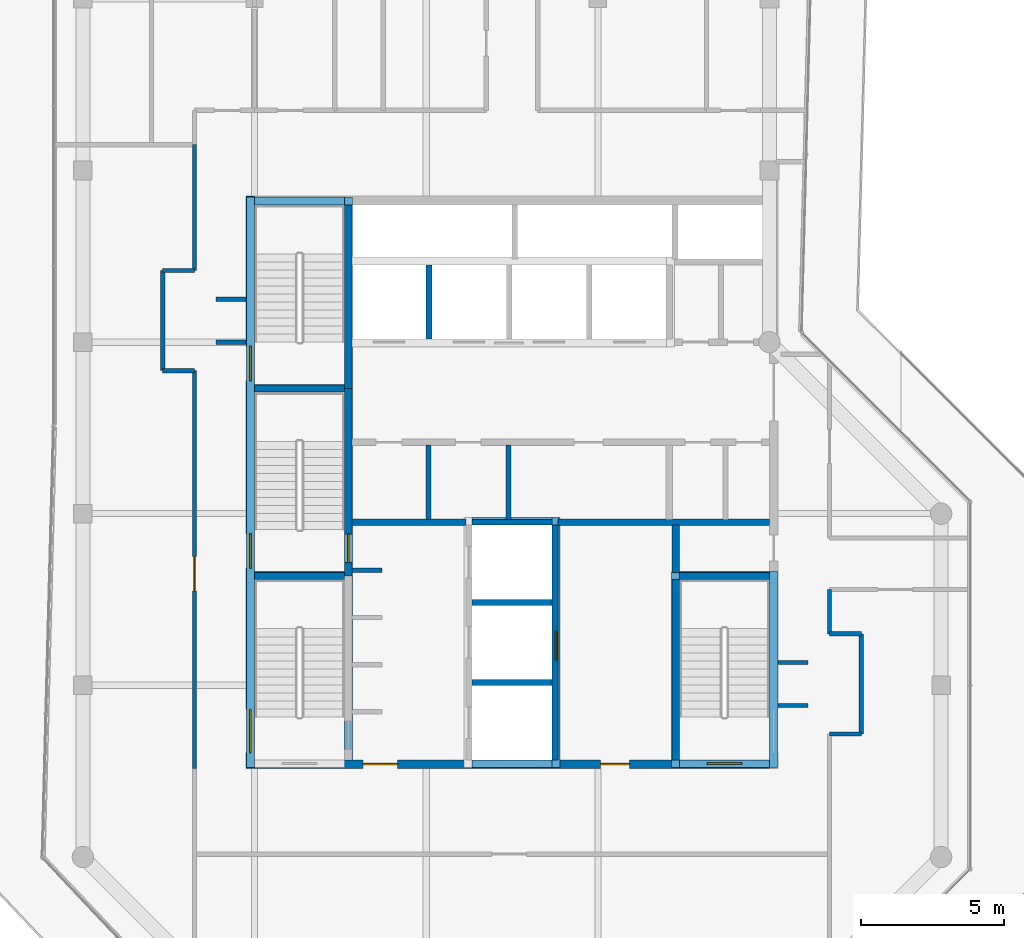
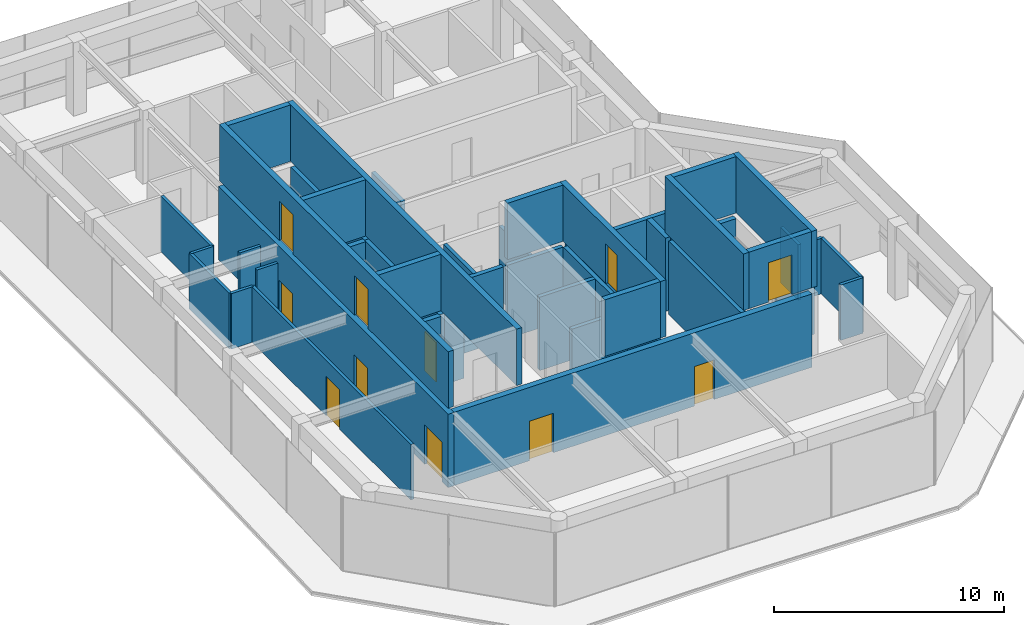
# One storey, part 11 of 15: 44 walls, 11 doors, 11 openings.
"""IFC4 building model written with IfcOpenShell, lengths in metres."""

from ifc_helpers import new_model, si_unit, direction, frame, frame_2d, origin, place, context, subcontext, project, spatial, rectangle, extrude, material, layer, layer_set, type_object, element, fill, save


model = new_model("IFC4")

# Units and contexts
model_context = context("Model", 3, precision=1e-05, world=origin(), true_north=direction((0.0, 1.0)))
body_context = subcontext(model_context, "Body", "Model", "MODEL_VIEW")
ifc_project = project(units=[si_unit("LENGTHUNIT", "METRE"), si_unit("AREAUNIT", "SQUARE_METRE"), si_unit("VOLUMEUNIT", "CUBIC_METRE"), si_unit("PLANEANGLEUNIT", "RADIAN"), si_unit("MASSUNIT", "GRAM", prefix="KILO")], contexts=[model_context])

# Site, building, storey
site_placement = place(None, origin())
site = spatial("IfcSite", under=ifc_project, at=site_placement, CompositionType="ELEMENT")
building_placement = place(site_placement, origin())
building = spatial("IfcBuilding", under=site, at=building_placement, Name="Welwitschia Terrace Campus", CompositionType="ELEMENT")
storey_placement = place(building_placement, frame((0.0, 0.0, 339.800048828125)))
storey = spatial("IfcBuildingStorey", under=building, at=storey_placement, Name="L76", CompositionType="ELEMENT", Elevation=339.800048828125)

# Walls
ifc_material_1 = material(Name="Concrete C32/40", Category="concrete")
ifc_layer_1 = layer(ifc_material_1, 0.175048828125)
ifc_layer_set_1 = layer_set([ifc_layer_1], Name="Concrete C32/40")
wall_type_1 = type_object("IfcWallType", Name="Core partition 175 Concrete C32/40", PredefinedType="PARTITIONING", material=ifc_layer_set_1)
for number, where, z_axis, x_axis, name in (
    (1, (12.074951171875, 13.800048828125, 0.0), (0.0, 0.0, 1.0), (0.0, 1.0, 0.0), "Core partition"),
    (2, (14.875, 13.800048828125, 0.0), (0.0, 0.0, 1.0), (0.0, 1.0, 0.0), "Core partition"),
):
    element("IfcWall", number, at=place(storey_placement, frame(where, z_axis=z_axis, x_axis=x_axis)), inside=storey, type_object=wall_type_1, Name=name, PredefinedType="PARTITIONING", context=body_context, shape_type="SweptSolid", body=[
        extrude(rectangle(XDim=2.599853515625, YDim=0.175048828125, at=frame_2d((1.2998046875, 0.0))), origin(), (0.0, 0.0, 1.0), 3.89990234375),
    ])
ifc_material_2 = material(Name="Concrete C32/40", Category="concrete")
ifc_layer_2 = layer(ifc_material_2, 0.22509765625)
ifc_layer_set_2 = layer_set([ifc_layer_2], Name="Concrete C32/40")
wall_type_2 = type_object("IfcWallType", Name="Core partition 225 Concrete C32/40", PredefinedType="PARTITIONING", material=ifc_layer_set_2)
wall_1_placement = place(storey_placement, frame((9.39990234375, 13.699951171875, 0.0), z_axis=(0.0, 0.0, 1.0), x_axis=(1.0, 0.0, 0.0)))
element("IfcWall", 3, at=wall_1_placement, inside=storey, type_object=wall_type_2, Name="Core partition", PredefinedType="PARTITIONING", context=body_context, shape_type="SweptSolid", body=[
    extrude(rectangle(XDim=4.0, YDim=0.22509765625, at=frame_2d((2.0, 0.0))), origin(), (0.0, 0.0, 1.0), 3.89990234375),
])
wall_2_placement = place(storey_placement, frame((16.60009765625, 13.699951171875, 0.0), z_axis=(0.0, 0.0, 1.0), x_axis=(1.0, 0.0, 0.0)))
element("IfcWall", 4, at=wall_2_placement, inside=storey, type_object=wall_type_2, Name="Core partition", PredefinedType="PARTITIONING", context=body_context, shape_type="SweptSolid", body=[
    extrude(rectangle(XDim=7.39990234375, YDim=0.22509765625, at=frame_2d((3.699951171875, 0.0))), origin(), (0.0, 0.0, 1.0), 3.89990234375),
])
ifc_material_3 = material(Name="Concrete C32/40", Category="concrete")
ifc_layer_3 = layer(ifc_material_3, 0.27490234375)
ifc_layer_set_3 = layer_set([ifc_layer_3], Name="Concrete C32/40")
wall_type_3 = type_object("IfcWallType", Name="Core partition 275 Concrete C32/40", PredefinedType="PARTITIONING", material=ifc_layer_set_3)
wall_3_placement = place(storey_placement, frame((20.72509765625, 11.949951171875, 0.0), z_axis=(0.0, 0.0, 1.0), x_axis=(0.0, 1.0, 0.0)))
element("IfcWall", 5, at=wall_3_placement, inside=storey, type_object=wall_type_3, Name="Core partition", PredefinedType="PARTITIONING", context=body_context, shape_type="SweptSolid", body=[
    extrude(rectangle(XDim=1.650146484375, YDim=0.27490234375, at=frame_2d((0.8251953125, 0.0))), origin(), (0.0, 0.0, 1.0), 3.89990234375),
])
ifc_material_4 = material(Name="Concrete C50/60", Category="concrete")
ifc_layer_4 = layer(ifc_material_4, 0.14990234375)
ifc_layer_set_4 = layer_set([ifc_layer_4], Name="Concrete C50/60")
wall_type_4 = type_object("IfcWallType", Name="Core wall 150 Concrete C50/60", PredefinedType="SHEAR", material=ifc_layer_set_4)
wall_4_placement = place(storey_placement, frame((9.39990234375, 12.02490234375, 0.0), z_axis=(0.0, 0.0, 1.0), x_axis=(1.0, 0.0, 0.0)))
element("IfcWall", 6, at=wall_4_placement, inside=storey, type_object=wall_type_4, Name="Core wall", PredefinedType="SHEAR", context=body_context, shape_type="SweptSolid", body=[
    extrude(rectangle(XDim=1.050048828125, YDim=0.14990234375, at=frame_2d((0.52490234375, 0.0))), origin(), (0.0, 0.0, 1.0), 3.89990234375),
])
ifc_material_5 = material(Name="Concrete C50/60", Category="concrete")
ifc_layer_5 = layer(ifc_material_5, 0.199951171875)
ifc_layer_set_5 = layer_set([ifc_layer_5], Name="Concrete C50/60")
wall_type_5 = type_object("IfcWallType", Name="Core wall 200 Concrete C50/60", PredefinedType="SHEAR", material=ifc_layer_set_5)
for number, where, z_axis, x_axis, name in (
    (7, (13.60009765625, 8.10009765625, 0.0), (0.0, 0.0, 1.0), (1.0, 0.0, 0.0), "Core wall"),
    (8, (13.60009765625, 10.89990234375, 0.0), (0.0, 0.0, 1.0), (1.0, 0.0, 0.0), "Core wall"),
    (9, (13.60009765625, 13.699951171875, 0.0), (0.0, 0.0, 1.0), (1.0, 0.0, 0.0), "Core wall"),
):
    element("IfcWall", number, at=place(storey_placement, frame(where, z_axis=z_axis, x_axis=x_axis)), inside=storey, type_object=wall_type_5, Name=name, PredefinedType="SHEAR", context=body_context, shape_type="SweptSolid", body=[
        extrude(rectangle(XDim=2.7998046875, YDim=0.199951171875, at=frame_2d((1.39990234375, 0.0))), origin(), (0.0, 0.0, 1.0), 3.89990234375),
    ])
wall_5_placement = place(storey_placement, frame((16.5, 5.39990234375, 0.0), z_axis=(0.0, 0.0, 1.0), x_axis=(0.0, 1.0, 0.0)))
element("IfcWall", 10, at=wall_5_placement, inside=storey, type_object=wall_type_5, Name="Core wall", PredefinedType="SHEAR", context=body_context, shape_type="SweptSolid", body=[
    extrude(rectangle(XDim=8.2001953125, YDim=0.199951171875, at=frame_2d((4.10009765625, 0.0))), origin(), (0.0, 0.0, 1.0), 3.89990234375),
])
ifc_material_6 = material(Name="Concrete C50/60", Category="concrete")
ifc_layer_6 = layer(ifc_material_6, 0.25)
ifc_layer_set_6 = layer_set([ifc_layer_6], Name="Concrete C50/60")
wall_type_6 = type_object("IfcWallType", Name="Core wall 250 Concrete C50/60", PredefinedType="SHEAR", material=ifc_layer_set_6)
for number, where, z_axis, x_axis, name in (
    (11, (6.0, 11.824951171875, 0.0), (0.0, 0.0, 1.0), (1.0, 0.0, 0.0), "Core wall"),
    (12, (20.85009765625, 11.824951171875, 0.0), (0.0, 0.0, 1.0), (1.0, 0.0, 0.0), "Core wall"),
    (13, (6.0, 18.375, 0.0), (0.0, 0.0, 1.0), (1.0, 0.0, 0.0), "Core wall"),
):
    element("IfcWall", number, at=place(storey_placement, frame(where, z_axis=z_axis, x_axis=x_axis)), inside=storey, type_object=wall_type_6, Name=name, PredefinedType="SHEAR", context=body_context, shape_type="SweptSolid", body=[
        extrude(rectangle(XDim=3.14990234375, YDim=0.25, at=frame_2d((1.574951171875, 0.0))), origin(), (0.0, 0.0, 1.0), 3.89990234375),
    ])

# Wall, opening, door
wall_6_placement = place(storey_placement, frame((9.27490234375, 18.375, 0.0), z_axis=(0.0, 0.0, 1.0), x_axis=(0.0, -1.0, 0.0)))
wall_6 = element("IfcWall", 14, at=wall_6_placement, inside=storey, type_object=wall_type_6, Name="Core wall", PredefinedType="SHEAR", context=body_context, shape_type="SweptSolid", body=[
    extrude(rectangle(XDim=6.550048828125, YDim=0.25, at=frame_2d((3.27490234375, 0.0))), origin(), (0.0, 0.0, 1.0), 3.89990234375),
])
opening_1_placement = place(wall_6_placement, frame((5.074951171875, 0.0, 0.0)))
opening_1 = element("IfcOpeningElement", 15, at=opening_1_placement, cuts=wall_6, Name="Opening DS10", PredefinedType="OPENING", context=body_context, shape_type="SweptSolid", body=[
    extrude(rectangle(XDim=1.0, YDim=2.10009765625, at=frame_2d((0.5, 1.050048828125))), frame((0.0, 0.135009765625, 0.0), z_axis=(0.0, -1.0, 0.0), x_axis=(1.0, 0.0, 0.0)), (0.0, 0.0, 1.0), 0.27001953125),
])
ifc_material_7 = material(Name="Steel S275", Category="steel")
door_type_1 = type_object("IfcDoorType", Name="Core door DS10", OperationType="SINGLE_SWING_LEFT", PredefinedType="DOOR", material=ifc_material_7)
door_1_placement = place(opening_1_placement, origin())
door_1 = element("IfcDoor", 16, at=door_1_placement, inside=storey, type_object=door_type_1, Name="Door S3-FL", OperationType="SINGLE_SWING_RIGHT", OverallHeight=2.10009765625, OverallWidth=1.0, PredefinedType="DOOR", context=body_context, shape_type="SweptSolid", body=[
    extrude(rectangle(XDim=1.0, YDim=2.10009765625, at=frame_2d((0.5, 1.050048828125))), frame((0.0, 0.02490234375, 0.0), z_axis=(0.0, -1.0, 0.0), x_axis=(1.0, 0.0, 0.0)), (0.0, 0.0, 1.0), 0.050048828125),
])
fill(opening_1, door_1)

# Walls
wall_7_placement = place(storey_placement, frame((9.27490234375, 18.375, 0.0), z_axis=(0.0, 0.0, 1.0), x_axis=(0.0, 1.0, 0.0)))
element("IfcWall", 17, at=wall_7_placement, inside=storey, type_object=wall_type_6, Name="Core wall", PredefinedType="SHEAR", context=body_context, shape_type="SweptSolid", body=[
    extrude(rectangle(XDim=6.425048828125, YDim=0.25, at=frame_2d((3.21240234375, 0.0))), origin(), (0.0, 0.0, 1.0), 3.89990234375),
])
wall_8_placement = place(storey_placement, frame((20.72509765625, 5.39990234375, 0.0), z_axis=(0.0, 0.0, 1.0), x_axis=(0.0, 1.0, 0.0)))
element("IfcWall", 18, at=wall_8_placement, inside=storey, type_object=wall_type_6, Name="Core wall", PredefinedType="SHEAR", context=body_context, shape_type="SweptSolid", body=[
    extrude(rectangle(XDim=6.300048828125, YDim=0.25, at=frame_2d((3.14990234375, 0.0))), origin(), (0.0, 0.0, 1.0), 3.89990234375),
])

# Wall, openings, doors
ifc_material_8 = material(Name="Concrete C50/60", Category="concrete")
ifc_layer_7 = layer(ifc_material_8, 0.300048828125)
ifc_layer_set_7 = layer_set([ifc_layer_7], Name="Concrete C50/60")
wall_type_7 = type_object("IfcWallType", Name="Core wall 300 Concrete C50/60", PredefinedType="SHEAR", material=ifc_layer_set_7)
wall_9_placement = place(storey_placement, frame((5.85009765625, 5.10009765625, 0.0), z_axis=(0.0, 0.0, 1.0), x_axis=(0.0, 1.0, 0.0)))
wall_9 = element("IfcWall", 19, at=wall_9_placement, inside=storey, type_object=wall_type_7, Name="Core outer wall", PredefinedType="SHEAR", context=body_context, shape_type="SweptSolid", body=[
    extrude(rectangle(XDim=20.0, YDim=0.300048828125, at=frame_2d((10.0, 0.0))), origin(), (0.0, 0.0, 1.0), 3.89990234375),
])
opening_2_placement = place(wall_9_placement, frame((0.550048828125, 0.0, 0.0)))
opening_2 = element("IfcOpeningElement", 20, at=opening_2_placement, cuts=wall_9, Name="Opening DS15", PredefinedType="OPENING", context=body_context, shape_type="SweptSolid", body=[
    extrude(rectangle(XDim=1.5, YDim=2.10009765625, at=frame_2d((0.75, 1.050048828125))), frame((0.0, 0.159912109375, 0.0), z_axis=(0.0, -1.0, 0.0), x_axis=(1.0, 0.0, 0.0)), (0.0, 0.0, 1.0), 0.320068359375),
])
opening_3_placement = place(wall_9_placement, frame((7.0, 0.0, 0.0)))
opening_3 = element("IfcOpeningElement", 21, at=opening_3_placement, cuts=wall_9, Name="Opening DS12", PredefinedType="OPENING", context=body_context, shape_type="SweptSolid", body=[
    extrude(rectangle(XDim=1.199951171875, YDim=2.10009765625, at=frame_2d((0.60009765625, 1.050048828125))), frame((0.0, 0.159912109375, 0.0), z_axis=(0.0, -1.0, 0.0), x_axis=(1.0, 0.0, 0.0)), (0.0, 0.0, 1.0), 0.320068359375),
])
opening_4_placement = place(wall_9_placement, frame((13.550048828125, 0.0, 0.0)))
opening_4 = element("IfcOpeningElement", 22, at=opening_4_placement, cuts=wall_9, Name="Opening DS12", PredefinedType="OPENING", context=body_context, shape_type="SweptSolid", body=[
    extrude(rectangle(XDim=1.199951171875, YDim=2.10009765625, at=frame_2d((0.60009765625, 1.050048828125))), frame((0.0, 0.159912109375, 0.0), z_axis=(0.0, -1.0, 0.0), x_axis=(1.0, 0.0, 0.0)), (0.0, 0.0, 1.0), 0.320068359375),
])
ifc_material_9 = material(Name="Steel S275", Category="steel")
door_type_2 = type_object("IfcDoorType", Name="Core door DS12", OperationType="SINGLE_SWING_LEFT", PredefinedType="DOOR", material=ifc_material_9)
door_2_placement = place(opening_3_placement, origin())
door_2 = element("IfcDoor", 23, at=door_2_placement, inside=storey, type_object=door_type_2, Name="Door S3-out", OperationType="SINGLE_SWING_LEFT", OverallHeight=2.10009765625, OverallWidth=1.199951171875, PredefinedType="DOOR", context=body_context, shape_type="SweptSolid", body=[
    extrude(rectangle(XDim=1.199951171875, YDim=2.10009765625, at=frame_2d((0.60009765625, 1.050048828125))), frame((0.0, 0.02490234375, 0.0), z_axis=(0.0, -1.0, 0.0), x_axis=(1.0, 0.0, 0.0)), (0.0, 0.0, 1.0), 0.050048828125),
])
fill(opening_3, door_2)
door_3_placement = place(opening_4_placement, origin())
door_3 = element("IfcDoor", 24, at=door_3_placement, inside=storey, type_object=door_type_2, Name="Door S4-out", OperationType="SINGLE_SWING_RIGHT", OverallHeight=2.10009765625, OverallWidth=1.199951171875, PredefinedType="DOOR", context=body_context, shape_type="SweptSolid", body=[
    extrude(rectangle(XDim=1.199951171875, YDim=2.10009765625, at=frame_2d((0.60009765625, 1.050048828125))), frame((0.0, 0.02490234375, 0.0), z_axis=(0.0, -1.0, 0.0), x_axis=(1.0, 0.0, 0.0)), (0.0, 0.0, 1.0), 0.050048828125),
])
fill(opening_4, door_3)
ifc_material_10 = material(Name="Steel S275", Category="steel")
door_type_3 = type_object("IfcDoorType", Name="Core door DS15", OperationType="DOUBLE_DOOR_SINGLE_SWING", PredefinedType="DOOR", material=ifc_material_10)
door_4_placement = place(opening_2_placement, origin())
door_4 = element("IfcDoor", 25, at=door_4_placement, inside=storey, type_object=door_type_3, Name="Door S1-out", OperationType="DOUBLE_DOOR_SINGLE_SWING", OverallHeight=2.10009765625, OverallWidth=1.5, PredefinedType="DOOR", context=body_context, shape_type="SweptSolid", body=[
    extrude(rectangle(XDim=1.5, YDim=2.10009765625, at=frame_2d((0.75, 1.050048828125))), frame((0.0, 0.02490234375, 0.0), z_axis=(0.0, -1.0, 0.0), x_axis=(1.0, 0.0, 0.0)), (0.0, 0.0, 1.0), 0.050048828125),
])
fill(opening_2, door_4)

wall_10_placement = place(storey_placement, frame((24.0, 5.25, 0.0), z_axis=(0.0, 0.0, 1.0), x_axis=(-1.0, 0.0, 0.0)))
wall_10 = element("IfcWall", 26, at=wall_10_placement, inside=storey, type_object=wall_type_7, Name="Core outer wall", PredefinedType="SHEAR", context=body_context, shape_type="SweptSolid", body=[
    extrude(rectangle(XDim=18.0, YDim=0.300048828125, at=frame_2d((9.0, 0.0))), origin(), (0.0, 0.0, 1.0), 3.89990234375),
])
opening_5_placement = place(wall_10_placement, frame((13.0, 0.0, 0.0)))
opening_5 = element("IfcOpeningElement", 27, at=opening_5_placement, cuts=wall_10, Name="Opening DF12", PredefinedType="OPENING", context=body_context, shape_type="SweptSolid", body=[
    extrude(rectangle(XDim=1.199951171875, YDim=2.10009765625, at=frame_2d((0.60009765625, 1.050048828125))), frame((0.0, 0.159912109375, 0.0), z_axis=(0.0, -1.0, 0.0), x_axis=(1.0, 0.0, 0.0)), (0.0, 0.0, 1.0), 0.320068359375),
])
opening_6_placement = place(wall_10_placement, frame((4.89990234375, 0.0, 0.0)))
opening_6 = element("IfcOpeningElement", 28, at=opening_6_placement, cuts=wall_10, Name="Opening DR10", PredefinedType="OPENING", context=body_context, shape_type="SweptSolid", body=[
    extrude(rectangle(XDim=1.0, YDim=2.10009765625, at=frame_2d((0.5, 1.050048828125))), frame((0.0, 0.159912109375, 0.0), z_axis=(0.0, -1.0, 0.0), x_axis=(1.0, 0.0, 0.0)), (0.0, 0.0, 1.0), 0.320068359375),
])
ifc_material_11 = material(Name="Steel S275", Category="steel")
door_type_4 = type_object("IfcDoorType", Name="Core door DF12", OperationType="SINGLE_SWING_LEFT", PredefinedType="DOOR", material=ifc_material_11)
door_5_placement = place(opening_5_placement, origin())
door_5 = element("IfcDoor", 29, at=door_5_placement, inside=storey, type_object=door_type_4, Name="Door FL-out", OperationType="SINGLE_SWING_RIGHT", OverallHeight=2.10009765625, OverallWidth=1.199951171875, PredefinedType="DOOR", context=body_context, shape_type="SweptSolid", body=[
    extrude(rectangle(XDim=1.199951171875, YDim=2.10009765625, at=frame_2d((0.60009765625, 1.050048828125))), frame((0.0, 0.02490234375, 0.0), z_axis=(0.0, -1.0, 0.0), x_axis=(1.0, 0.0, 0.0)), (0.0, 0.0, 1.0), 0.050048828125),
])
fill(opening_5, door_5)
ifc_material_12 = material(Name="Steel S275", Category="steel")
door_type_5 = type_object("IfcDoorType", Name="Core door DR10", OperationType="SINGLE_SWING_LEFT", PredefinedType="DOOR", material=ifc_material_12)
door_6_placement = place(opening_6_placement, origin())
door_6 = element("IfcDoor", 30, at=door_6_placement, inside=storey, type_object=door_type_5, Name="Door F1-out", OperationType="SINGLE_SWING_LEFT", OverallHeight=2.10009765625, OverallWidth=1.0, PredefinedType="DOOR", context=body_context, shape_type="SweptSolid", body=[
    extrude(rectangle(XDim=1.0, YDim=2.10009765625, at=frame_2d((0.5, 1.050048828125))), frame((0.0, 0.02490234375, 0.0), z_axis=(0.0, -1.0, 0.0), x_axis=(1.0, 0.0, 0.0)), (0.0, 0.0, 1.0), 0.050048828125),
])
fill(opening_6, door_6)

# Walls
ifc_material_13 = material(Name="Gypsum board on steel studs", Category="steel")
ifc_layer_8 = layer(ifc_material_13, 0.14990234375)
ifc_layer_set_8 = layer_set([ifc_layer_8], Name="Gypsum board on steel studs")
wall_type_8 = type_object("IfcWallType", Name="Corridor partition 150 EI 30", PredefinedType="PARTITIONING", material=ifc_layer_set_8)
wall_11_placement = place(storey_placement, frame((2.7900390625, 19.0, 0.0), z_axis=(0.0, 0.0, 1.0), x_axis=(0.0, 1.0, 0.0)))
element("IfcWall", 31, at=wall_11_placement, inside=storey, type_object=wall_type_8, Name="Partition", PredefinedType="PARTITIONING", context=body_context, shape_type="SweptSolid", body=[
    extrude(rectangle(XDim=3.5, YDim=0.14990234375, at=frame_2d((1.75, 0.0))), origin(), (0.0, 0.0, 1.0), 2.949951171875),
])
for number, where, z_axis, x_axis, name in (
    (32, (2.7900390625, 19.0, 0.0), (0.0, 0.0, 1.0), (1.0, 0.0, 0.0), "Partition"),
    (33, (2.7900390625, 22.5, 0.0), (0.0, 0.0, 1.0), (1.0, 0.0, 0.0), "Partition"),
):
    element("IfcWall", number, at=place(storey_placement, frame(where, z_axis=z_axis, x_axis=x_axis)), inside=storey, type_object=wall_type_8, Name=name, PredefinedType="PARTITIONING", context=body_context, shape_type="SweptSolid", body=[
        extrude(rectangle(XDim=1.10986328125, YDim=0.14990234375, at=frame_2d((0.554931640625, 0.0))), origin(), (0.0, 0.0, 1.0), 2.949951171875),
    ])

# Wall, opening, door
wall_12_placement = place(storey_placement, frame((3.89990234375, 5.10009765625, 0.0), z_axis=(0.0, 0.0, 1.0), x_axis=(0.0, 1.0, 0.0)))
wall_12 = element("IfcWall", 34, at=wall_12_placement, inside=storey, type_object=wall_type_8, Name="Partition", PredefinedType="PARTITIONING", context=body_context, shape_type="SweptSolid", body=[
    extrude(rectangle(XDim=13.89990234375, YDim=0.14990234375, at=frame_2d((6.949951171875, 0.0))), origin(), (0.0, 0.0, 1.0), 2.949951171875),
])
opening_7_placement = place(wall_12_placement, frame((6.199951171875, 0.0, 0.0)))
opening_7 = element("IfcOpeningElement", 35, at=opening_7_placement, cuts=wall_12, Name="Opening DX12", PredefinedType="OPENING", context=body_context, shape_type="SweptSolid", body=[
    extrude(rectangle(XDim=1.199951171875, YDim=2.10009765625, at=frame_2d((0.60009765625, 1.050048828125))), frame((0.0, 0.0849609375, 0.0), z_axis=(0.0, -1.0, 0.0), x_axis=(1.0, 0.0, 0.0)), (0.0, 0.0, 1.0), 0.169921875),
])
ifc_material_14 = material(Name="Timber veneered door", Category="wood")
door_type_6 = type_object("IfcDoorType", Name="Interior door DX12", OperationType="NOTDEFINED", PredefinedType="DOOR", material=ifc_material_14)
door_7_placement = place(opening_7_placement, origin())
door_7 = element("IfcDoor", 36, at=door_7_placement, inside=storey, type_object=door_type_6, Name="Door L76 1300", OperationType="SINGLE_SWING_LEFT", OverallHeight=2.10009765625, OverallWidth=1.199951171875, PredefinedType="DOOR", context=body_context, shape_type="SweptSolid", body=[
    extrude(rectangle(XDim=1.199951171875, YDim=2.10009765625, at=frame_2d((0.60009765625, 1.050048828125))), frame((0.0, 0.02490234375, 0.0), z_axis=(0.0, -1.0, 0.0), x_axis=(1.0, 0.0, 0.0)), (0.0, 0.0, 1.0), 0.050048828125),
])
fill(opening_7, door_7)

# Walls
wall_13_placement = place(storey_placement, frame((3.89990234375, 22.5, 0.0), z_axis=(0.0, 0.0, 1.0), x_axis=(0.0, 1.0, 0.0)))
element("IfcWall", 37, at=wall_13_placement, inside=storey, type_object=wall_type_8, Name="Partition", PredefinedType="PARTITIONING", context=body_context, shape_type="SweptSolid", body=[
    extrude(rectangle(XDim=4.39990234375, YDim=0.14990234375, at=frame_2d((2.199951171875, 0.0))), origin(), (0.0, 0.0, 1.0), 2.949951171875),
])
for number, where, z_axis, x_axis, name in (
    (38, (4.64990234375, 20.0, 0.0), (0.0, 0.0, 1.0), (1.0, 0.0, 0.0), "Partition"),
    (39, (4.64990234375, 21.5, 0.0), (0.0, 0.0, 1.0), (1.0, 0.0, 0.0), "Partition"),
    (40, (24.300048828125, 7.300048828125, 0.0), (0.0, 0.0, 1.0), (1.0, 0.0, 0.0), "Partition"),
    (41, (24.300048828125, 8.800048828125, 0.0), (0.0, 0.0, 1.0), (1.0, 0.0, 0.0), "Partition"),
):
    element("IfcWall", number, at=place(storey_placement, frame(where, z_axis=z_axis, x_axis=x_axis)), inside=storey, type_object=wall_type_8, Name=name, PredefinedType="PARTITIONING", context=body_context, shape_type="SweptSolid", body=[
        extrude(rectangle(XDim=1.050048828125, YDim=0.14990234375, at=frame_2d((0.52490234375, 0.0))), origin(), (0.0, 0.0, 1.0), 2.949951171875),
    ])
wall_14_placement = place(storey_placement, frame((26.10009765625, 6.300048828125, 0.0), z_axis=(0.0, 0.0, 1.0), x_axis=(1.0, 0.0, 0.0)))
element("IfcWall", 42, at=wall_14_placement, inside=storey, type_object=wall_type_8, Name="Partition", PredefinedType="PARTITIONING", context=body_context, shape_type="SweptSolid", body=[
    extrude(rectangle(XDim=1.10986328125, YDim=0.14990234375, at=frame_2d((0.554931640625, 0.0))), origin(), (0.0, 0.0, 1.0), 2.949951171875),
])
wall_15_placement = place(storey_placement, frame((26.10009765625, 9.800048828125, 0.0), z_axis=(0.0, 0.0, 1.0), x_axis=(0.0, 1.0, 0.0)))
element("IfcWall", 43, at=wall_15_placement, inside=storey, type_object=wall_type_8, Name="Partition", PredefinedType="PARTITIONING", context=body_context, shape_type="SweptSolid", body=[
    extrude(rectangle(XDim=1.550048828125, YDim=0.14990234375, at=frame_2d((0.77490234375, 0.0))), origin(), (0.0, 0.0, 1.0), 2.949951171875),
])
wall_16_placement = place(storey_placement, frame((26.10009765625, 9.800048828125, 0.0), z_axis=(0.0, 0.0, 1.0), x_axis=(1.0, 0.0, 0.0)))
element("IfcWall", 44, at=wall_16_placement, inside=storey, type_object=wall_type_8, Name="Partition", PredefinedType="PARTITIONING", context=body_context, shape_type="SweptSolid", body=[
    extrude(rectangle(XDim=1.10986328125, YDim=0.14990234375, at=frame_2d((0.554931640625, 0.0))), origin(), (0.0, 0.0, 1.0), 2.949951171875),
])
wall_17_placement = place(storey_placement, frame((27.2099609375, 6.300048828125, 0.0), z_axis=(0.0, 0.0, 1.0), x_axis=(0.0, 1.0, 0.0)))
element("IfcWall", 45, at=wall_17_placement, inside=storey, type_object=wall_type_8, Name="Partition", PredefinedType="PARTITIONING", context=body_context, shape_type="SweptSolid", body=[
    extrude(rectangle(XDim=3.5, YDim=0.14990234375, at=frame_2d((1.75, 0.0))), origin(), (0.0, 0.0, 1.0), 2.949951171875),
])
ifc_material_15 = material(Name="Concrete C50/60", Category="concrete")
ifc_layer_9 = layer(ifc_material_15, 0.27490234375)
ifc_layer_set_9 = layer_set([ifc_layer_9], Name="Concrete C50/60")
wall_type_9 = type_object("IfcWallType", Name="Head house wall 275 Concrete C50/60", PredefinedType="SHEAR", material=ifc_layer_set_9)
wall_18_placement = place(storey_placement, frame((13.60009765625, 5.262939453125, 4.199951171875), z_axis=(0.0, 0.0, 1.0), x_axis=(1.0, 0.0, 0.0)))
element("IfcWall", 46, at=wall_18_placement, inside=storey, type_object=wall_type_9, Name="Core wall", PredefinedType="SHEAR", context=body_context, shape_type="SweptSolid", body=[
    extrude(rectangle(XDim=2.7998046875, YDim=0.27490234375, at=frame_2d((1.39990234375, 0.0))), origin(), (0.0, 0.0, 1.0), 3.0),
])

# Wall, opening, door
wall_19_placement = place(storey_placement, frame((24.0, 5.262939453125, 4.199951171875), z_axis=(0.0, 0.0, 1.0), x_axis=(-1.0, 0.0, 0.0)))
wall_19 = element("IfcWall", 47, at=wall_19_placement, inside=storey, type_object=wall_type_9, Name="Core wall", PredefinedType="SHEAR", context=body_context, shape_type="SweptSolid", body=[
    extrude(rectangle(XDim=3.14990234375, YDim=0.27490234375, at=frame_2d((1.574951171875, 0.0))), origin(), (0.0, 0.0, 1.0), 3.0),
])
opening_8_placement = place(wall_19_placement, frame((0.97509765625, 0.0, 0.0)))
opening_8 = element("IfcOpeningElement", 48, at=opening_8_placement, cuts=wall_19, Name="Opening DS12", PredefinedType="OPENING", context=body_context, shape_type="SweptSolid", body=[
    extrude(rectangle(XDim=1.199951171875, YDim=2.10009765625, at=frame_2d((0.60009765625, 1.050048828125))), frame((0.0, 0.1474609375, 0.0), z_axis=(0.0, -1.0, 0.0), x_axis=(1.0, 0.0, 0.0)), (0.0, 0.0, 1.0), 0.294921875),
])
door_8_placement = place(opening_8_placement, origin())
door_8 = element("IfcDoor", 49, at=door_8_placement, inside=storey, type_object=door_type_2, Name="Door S2", OperationType="SINGLE_SWING_LEFT", OverallHeight=2.10009765625, OverallWidth=1.199951171875, PredefinedType="DOOR", context=body_context, shape_type="SweptSolid", body=[
    extrude(rectangle(XDim=1.199951171875, YDim=2.10009765625, at=frame_2d((0.60009765625, 1.050048828125))), frame((0.0, 0.02490234375, 0.0), z_axis=(0.0, -1.0, 0.0), x_axis=(1.0, 0.0, 0.0)), (0.0, 0.0, 1.0), 0.050048828125),
])
fill(opening_8, door_8)

# Walls
for number, where, z_axis, x_axis, name in (
    (50, (6.0, 11.8369140625, 4.199951171875), (0.0, 0.0, 1.0), (1.0, 0.0, 0.0), "Core wall"),
    (51, (20.85009765625, 11.8369140625, 4.199951171875), (0.0, 0.0, 1.0), (1.0, 0.0, 0.0), "Core wall"),
):
    element("IfcWall", number, at=place(storey_placement, frame(where, z_axis=z_axis, x_axis=x_axis)), inside=storey, type_object=wall_type_9, Name=name, PredefinedType="SHEAR", context=body_context, shape_type="SweptSolid", body=[
        extrude(rectangle(XDim=3.14990234375, YDim=0.27490234375, at=frame_2d((1.574951171875, 0.0))), origin(), (0.0, 0.0, 1.0), 3.0),
    ])
wall_20_placement = place(storey_placement, frame((13.60009765625, 13.737060546875, 4.199951171875), z_axis=(0.0, 0.0, 1.0), x_axis=(1.0, 0.0, 0.0)))
element("IfcWall", 52, at=wall_20_placement, inside=storey, type_object=wall_type_9, Name="Core wall", PredefinedType="SHEAR", context=body_context, shape_type="SweptSolid", body=[
    extrude(rectangle(XDim=2.7998046875, YDim=0.27490234375, at=frame_2d((1.39990234375, 0.0))), origin(), (0.0, 0.0, 1.0), 3.0),
])
for number, where, z_axis, x_axis, name in (
    (53, (6.0, 18.386962890625, 4.199951171875), (0.0, 0.0, 1.0), (1.0, 0.0, 0.0), "Core wall"),
    (54, (6.0, 24.93798828125, 4.199951171875), (0.0, 0.0, 1.0), (1.0, 0.0, 0.0), "Core wall"),
):
    element("IfcWall", number, at=place(storey_placement, frame(where, z_axis=z_axis, x_axis=x_axis)), inside=storey, type_object=wall_type_9, Name=name, PredefinedType="SHEAR", context=body_context, shape_type="SweptSolid", body=[
        extrude(rectangle(XDim=3.14990234375, YDim=0.27490234375, at=frame_2d((1.574951171875, 0.0))), origin(), (0.0, 0.0, 1.0), 3.0),
    ])

# Wall, openings, doors
wall_21_placement = place(storey_placement, frame((5.862060546875, 5.125, 4.199951171875), z_axis=(0.0, 0.0, 1.0), x_axis=(0.0, 1.0, 0.0)))
wall_21 = element("IfcWall", 55, at=wall_21_placement, inside=storey, type_object=wall_type_9, Name="Core wall", PredefinedType="SHEAR", context=body_context, shape_type="SweptSolid", body=[
    extrude(rectangle(XDim=19.949951171875, YDim=0.27490234375, at=frame_2d((9.97509765625, 0.0))), origin(), (0.0, 0.0, 1.0), 3.0),
])
opening_9_placement = place(wall_21_placement, frame((6.97509765625, 0.0, 0.0)))
opening_9 = element("IfcOpeningElement", 56, at=opening_9_placement, cuts=wall_21, Name="Opening DS12", PredefinedType="OPENING", context=body_context, shape_type="SweptSolid", body=[
    extrude(rectangle(XDim=1.199951171875, YDim=2.10009765625, at=frame_2d((0.60009765625, 1.050048828125))), frame((0.0, 0.1474609375, 0.0), z_axis=(0.0, -1.0, 0.0), x_axis=(1.0, 0.0, 0.0)), (0.0, 0.0, 1.0), 0.294921875),
])
opening_10_placement = place(wall_21_placement, frame((13.52490234375, 0.0, 0.0)))
opening_10 = element("IfcOpeningElement", 57, at=opening_10_placement, cuts=wall_21, Name="Opening DS12", PredefinedType="OPENING", context=body_context, shape_type="SweptSolid", body=[
    extrude(rectangle(XDim=1.199951171875, YDim=2.10009765625, at=frame_2d((0.60009765625, 1.050048828125))), frame((0.0, 0.1474609375, 0.0), z_axis=(0.0, -1.0, 0.0), x_axis=(1.0, 0.0, 0.0)), (0.0, 0.0, 1.0), 0.294921875),
])
door_9_placement = place(opening_9_placement, origin())
door_9 = element("IfcDoor", 58, at=door_9_placement, inside=storey, type_object=door_type_2, Name="Door S3", OperationType="SINGLE_SWING_LEFT", OverallHeight=2.10009765625, OverallWidth=1.199951171875, PredefinedType="DOOR", context=body_context, shape_type="SweptSolid", body=[
    extrude(rectangle(XDim=1.199951171875, YDim=2.10009765625, at=frame_2d((0.60009765625, 1.050048828125))), frame((0.0, 0.02490234375, 0.0), z_axis=(0.0, -1.0, 0.0), x_axis=(1.0, 0.0, 0.0)), (0.0, 0.0, 1.0), 0.050048828125),
])
fill(opening_9, door_9)
door_10_placement = place(opening_10_placement, origin())
door_10 = element("IfcDoor", 59, at=door_10_placement, inside=storey, type_object=door_type_2, Name="Door S4", OperationType="SINGLE_SWING_LEFT", OverallHeight=2.10009765625, OverallWidth=1.199951171875, PredefinedType="DOOR", context=body_context, shape_type="SweptSolid", body=[
    extrude(rectangle(XDim=1.199951171875, YDim=2.10009765625, at=frame_2d((0.60009765625, 1.050048828125))), frame((0.0, 0.02490234375, 0.0), z_axis=(0.0, -1.0, 0.0), x_axis=(1.0, 0.0, 0.0)), (0.0, 0.0, 1.0), 0.050048828125),
])
fill(opening_10, door_10)

# Wall
wall_22_placement = place(storey_placement, frame((9.287109375, 5.125, 4.199951171875), z_axis=(0.0, 0.0, 1.0), x_axis=(0.0, 1.0, 0.0)))
element("IfcWall", 60, at=wall_22_placement, inside=storey, type_object=wall_type_9, Name="Core wall", PredefinedType="SHEAR", context=body_context, shape_type="SweptSolid", body=[
    extrude(rectangle(XDim=19.949951171875, YDim=0.27490234375, at=frame_2d((9.97509765625, 0.0))), origin(), (0.0, 0.0, 1.0), 3.0),
])

# Wall, opening, door
wall_23_placement = place(storey_placement, frame((16.537109375, 13.875, 4.199951171875), z_axis=(0.0, 0.0, 1.0), x_axis=(0.0, -1.0, 0.0)))
wall_23 = element("IfcWall", 61, at=wall_23_placement, inside=storey, type_object=wall_type_9, Name="Core wall", PredefinedType="SHEAR", context=body_context, shape_type="SweptSolid", body=[
    extrude(rectangle(XDim=8.75, YDim=0.27490234375, at=frame_2d((4.375, 0.0))), origin(), (0.0, 0.0, 1.0), 3.0),
])
opening_11_placement = place(wall_23_placement, frame((3.97509765625, 0.0, 0.0)))
opening_11 = element("IfcOpeningElement", 62, at=opening_11_placement, cuts=wall_23, Name="Opening DR10", PredefinedType="OPENING", context=body_context, shape_type="SweptSolid", body=[
    extrude(rectangle(XDim=1.0, YDim=2.10009765625, at=frame_2d((0.5, 1.050048828125))), frame((0.0, 0.1474609375, 0.0), z_axis=(0.0, -1.0, 0.0), x_axis=(1.0, 0.0, 0.0)), (0.0, 0.0, 1.0), 0.294921875),
])
door_11_placement = place(opening_11_placement, origin())
door_11 = element("IfcDoor", 63, at=door_11_placement, inside=storey, type_object=door_type_5, Name="Door FF", OperationType="SINGLE_SWING_LEFT", OverallHeight=2.10009765625, OverallWidth=1.0, PredefinedType="DOOR", context=body_context, shape_type="SweptSolid", body=[
    extrude(rectangle(XDim=1.0, YDim=2.10009765625, at=frame_2d((0.5, 1.050048828125))), frame((0.0, 0.02490234375, 0.0), z_axis=(0.0, -1.0, 0.0), x_axis=(1.0, 0.0, 0.0)), (0.0, 0.0, 1.0), 0.050048828125),
])
fill(opening_11, door_11)

# Walls
for number, where, z_axis, x_axis, name in (
    (64, (20.712890625, 5.125, 4.199951171875), (0.0, 0.0, 1.0), (0.0, 1.0, 0.0), "Core wall"),
    (65, (24.136962890625, 5.125, 4.199951171875), (0.0, 0.0, 1.0), (0.0, 1.0, 0.0), "Core wall"),
):
    element("IfcWall", number, at=place(storey_placement, frame(where, z_axis=z_axis, x_axis=x_axis)), inside=storey, type_object=wall_type_9, Name=name, PredefinedType="SHEAR", context=body_context, shape_type="SweptSolid", body=[
        extrude(rectangle(XDim=6.85009765625, YDim=0.27490234375, at=frame_2d((3.425048828125, 0.0))), origin(), (0.0, 0.0, 1.0), 3.0),
    ])
ifc_material_16 = material(Name="Concrete C32/40", Category="concrete")
ifc_layer_10 = layer(ifc_material_16, 0.199951171875)
ifc_layer_set_10 = layer_set([ifc_layer_10], Name="Concrete C32/40")
wall_type_10 = type_object("IfcWallType", Name="Shaft wall 200 Concrete C32/40", PredefinedType="SOLIDWALL", material=ifc_layer_set_10)
wall_24_placement = place(storey_placement, frame((12.10009765625, 20.10009765625, 0.0), z_axis=(0.0, 0.0, 1.0), x_axis=(0.0, 1.0, 0.0)))
element("IfcWall", 66, at=wall_24_placement, inside=storey, type_object=wall_type_10, Name="Shaft wall", PredefinedType="SOLIDWALL", context=body_context, shape_type="SweptSolid", body=[
    extrude(rectangle(XDim=2.599853515625, YDim=0.199951171875, at=frame_2d((1.2998046875, 0.0))), origin(), (0.0, 0.0, 1.0), 3.89990234375),
])

save(model, "model.ifc")
